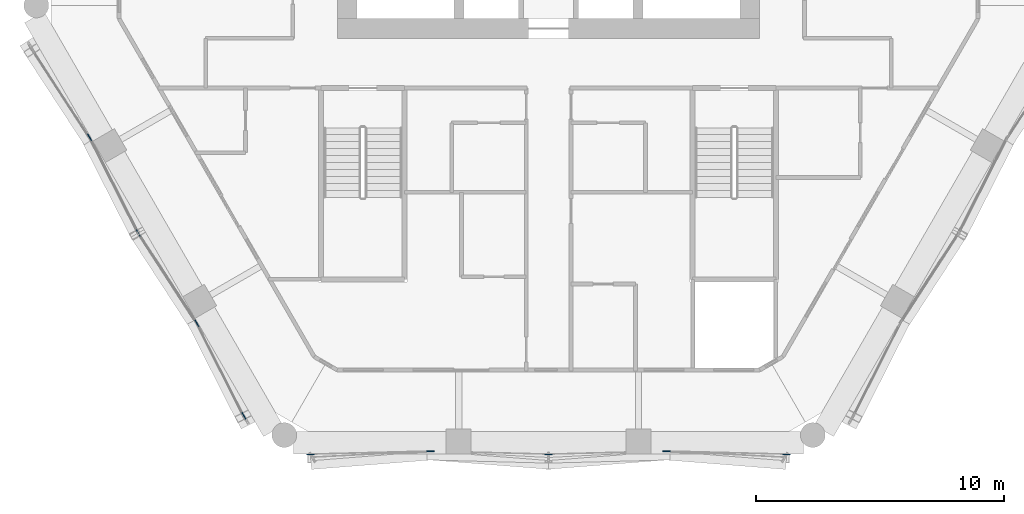
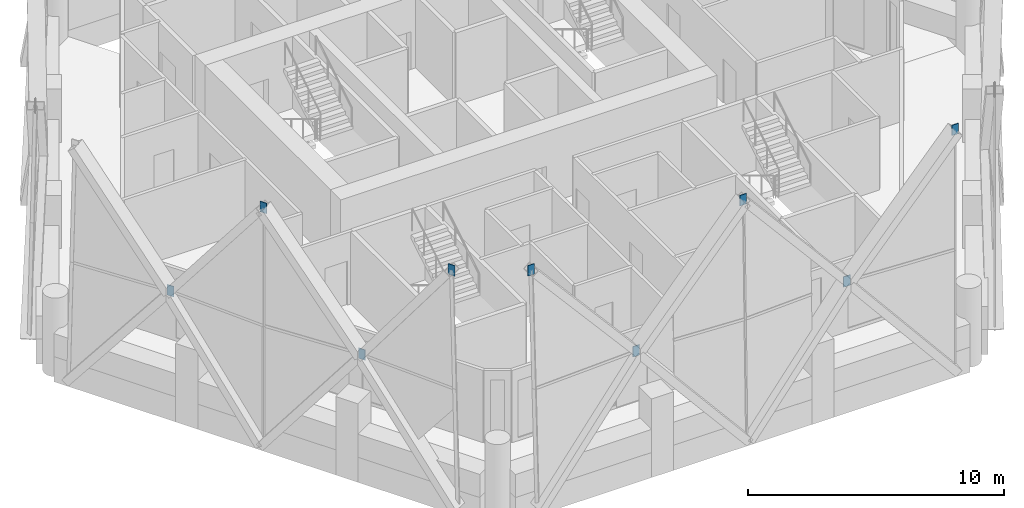
# One storey, part 14 of 18: 9 discrete accessories.
"""IFC4 building model written with IfcOpenShell, lengths in metres."""

from ifc_helpers import new_model, si_unit, direction, frame, origin, origin_2d, place, context, subcontext, project, spatial, rectangle, extrude, material, layer, layer_set, type_object, element, save


model = new_model("IFC4")

# Units and contexts
model_context = context("Model", 3, precision=1e-05, world=origin(), true_north=direction((0.0, 1.0)))
body_context = subcontext(model_context, "Body", "Model", "MODEL_VIEW")
ifc_project = project(units=[si_unit("LENGTHUNIT", "METRE"), si_unit("AREAUNIT", "SQUARE_METRE"), si_unit("VOLUMEUNIT", "CUBIC_METRE"), si_unit("PLANEANGLEUNIT", "RADIAN"), si_unit("MASSUNIT", "GRAM", prefix="KILO")], contexts=[model_context])

# Site, building, storey
site_placement = place(None, origin())
site = spatial("IfcSite", under=ifc_project, at=site_placement, CompositionType="ELEMENT")
building_placement = place(site_placement, origin())
building = spatial("IfcBuilding", under=site, at=building_placement, Name="Ostrander Bayou Hotel Tower", CompositionType="ELEMENT")
storey_placement = place(building_placement, frame((0.0, 0.0, 175.75)))
storey = spatial("IfcBuildingStorey", under=building, at=storey_placement, Name="L43", CompositionType="ELEMENT", Elevation=175.75)

# Discrete accessories
ifc_material = material(Name="Steel ASTM A572 Gr 50", Category="steel")
ifc_layer = layer(ifc_material, 0.030029296875)
ifc_layer_set = layer_set([ifc_layer], Name="GP1 gusset plate 30 mm")
discrete_accessory_type = type_object("IfcDiscreteAccessoryType", Name="GP1 gusset plate 30 mm", PredefinedType="BRACKET", material=ifc_layer_set)
for number, where, z_axis, x_axis, name in (
    (1, (-18.476318359375, -5.677734375, 4.77490234375), (0.0, 0.0, 1.0), (0.5, -0.866025403784, 0.0), "GP1 gusset plate lat 281"),
    (2, (-16.51513671875, -9.534912109375, 10.39990234375), (0.0, 0.0, 1.0), (0.5, -0.866025403784, 0.0), "GP1 gusset plate lat 283"),
    (3, (-14.1552734375, -13.162109375, 4.77490234375), (0.0, 0.0, 1.0), (0.5, -0.866025403784, 0.0), "GP1 gusset plate lat 284"),
    (4, (-12.264892578125, -16.896484375, 10.39990234375), (0.0, 0.0, 1.0), (0.5, -0.866025403784, 0.0), "GP1 gusset plate lat 285"),
    (5, (-4.75341796875, -18.323486328125, 4.77490234375), (0.0, 0.0, 1.0), (1.0, 0.0, 0.0), "GP1 gusset plate lat 286"),
    (6, (-9.57763671875, -18.447998046875, 10.39990234375), (0.0, 0.0, 1.0), (1.0, 0.0, 0.0), "GP1 gusset plate lat 287"),
    (7, (0.0, -18.447998046875, 10.39990234375), (0.0, 0.0, 1.0), (1.0, 0.0, 0.0), "GP1 gusset plate lat 288"),
    (8, (4.75341796875, -18.323486328125, 4.77490234375), (0.0, 0.0, 1.0), (1.0, 0.0, 0.0), "GP1 gusset plate lat 289"),
    (9, (9.57763671875, -18.447998046875, 10.39990234375), (0.0, 0.0, 1.0), (1.0, 0.0, 0.0), "GP1 gusset plate lat 290"),
):
    element("IfcDiscreteAccessory", number, at=place(storey_placement, frame(where, z_axis=z_axis, x_axis=x_axis)), inside=storey, type_object=discrete_accessory_type, Name=name, PredefinedType="BRACKET", context=body_context, shape_type="SweptSolid", body=[
        extrude(rectangle(XDim=0.300048828125, YDim=0.030029296875, at=origin_2d()), origin(), (0.0, 0.0, 1.0), 0.5),
    ])

save(model, "model.ifc")
